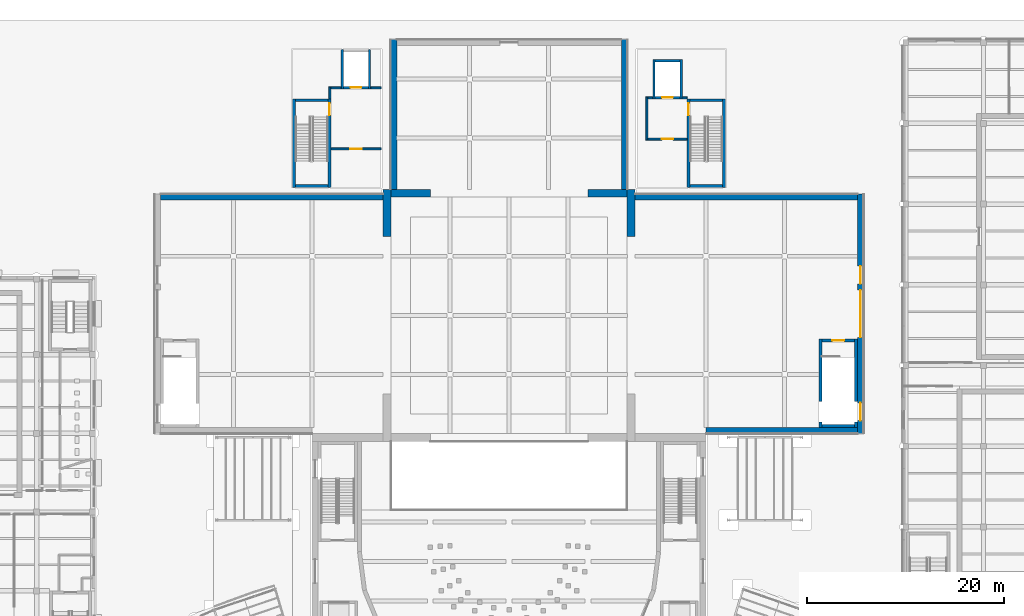
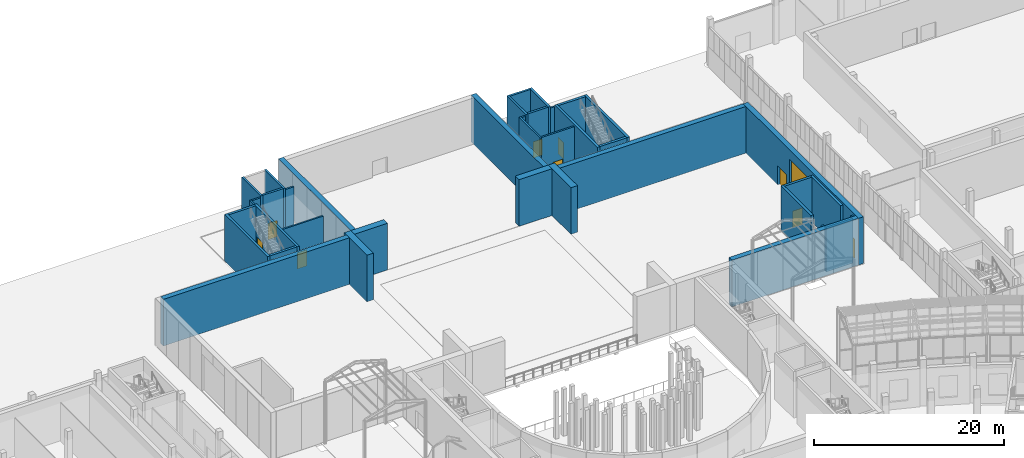
# One storey, part 98 of 155: 39 walls, 10 doors, 10 openings.
"""IFC4 building model written with IfcOpenShell, lengths in metres."""

from ifc_helpers import new_model, si_unit, direction, frame, frame_2d, origin, place, context, subcontext, project, spatial, rectangle, extrude, material, layer, layer_set, type_object, element, fill, save


model = new_model("IFC4")

# Units and contexts
model_context = context("Model", 3, precision=1e-05, world=origin(), true_north=direction((0.0, 1.0)))
body_context = subcontext(model_context, "Body", "Model", "MODEL_VIEW")
ifc_project = project(units=[si_unit("LENGTHUNIT", "METRE"), si_unit("AREAUNIT", "SQUARE_METRE"), si_unit("VOLUMEUNIT", "CUBIC_METRE"), si_unit("PLANEANGLEUNIT", "RADIAN"), si_unit("MASSUNIT", "GRAM", prefix="KILO")], contexts=[model_context])

# Site, building, storey
site_placement = place(None, origin())
site = spatial("IfcSite", under=ifc_project, at=site_placement, CompositionType="ELEMENT")
building_placement = place(site_placement, origin())
building = spatial("IfcBuilding", under=site, at=building_placement, Name="Lunette Opera House", CompositionType="ELEMENT")
storey_placement = place(building_placement, origin())
storey = spatial("IfcBuildingStorey", under=building, at=storey_placement, Name="L00", CompositionType="ELEMENT", Elevation=0.0)

# Walls
ifc_material_1 = material(Name="Concrete C35/45", Category="concrete")
ifc_layer_1 = layer(ifc_material_1, 0.199951171875)
ifc_layer_set_1 = layer_set([ifc_layer_1], Name="Concrete C35/45")
wall_type_1 = type_object("IfcWallType", Name="LOBBY WALL 200", PredefinedType="PARTITIONING", material=ifc_layer_set_1)
wall_1_placement = place(storey_placement, frame((114.080078125, 130.10009765625, 0.0), z_axis=(0.0, 0.0, 1.0), x_axis=(-1.0, 0.0, 0.0)))
element("IfcWall", 1, at=wall_1_placement, inside=storey, type_object=wall_type_1, Name="FL3 lobby wall 2a", PredefinedType="PARTITIONING", context=body_context, shape_type="SweptSolid", body=[
    extrude(rectangle(XDim=0.489990234375, YDim=0.199951171875, at=frame_2d((0.2451171875, 0.0))), origin(), (0.0, 0.0, 1.0), 5.780029296875),
])
wall_2_placement = place(storey_placement, frame((110.580078125, 130.10009765625, 0.0), z_axis=(0.0, 0.0, 1.0), x_axis=(-1.0, 0.0, 0.0)))
element("IfcWall", 2, at=wall_2_placement, inside=storey, type_object=wall_type_1, Name="FL3 lobby wall 2b", PredefinedType="PARTITIONING", context=body_context, shape_type="SweptSolid", body=[
    extrude(rectangle(XDim=0.47998046875, YDim=0.199951171875, at=frame_2d((0.239990234375, 0.0))), origin(), (0.0, 0.0, 1.0), 5.780029296875),
])
wall_3_placement = place(storey_placement, frame((110.0, 130.199951171875, 0.0), z_axis=(0.0, 0.0, 1.0), x_axis=(0.0, -1.0, 0.0)))
element("IfcWall", 3, at=wall_3_placement, inside=storey, type_object=wall_type_1, Name="FL3 lobby wall 3a", PredefinedType="PARTITIONING", context=body_context, shape_type="SweptSolid", body=[
    extrude(rectangle(XDim=4.39990234375, YDim=0.199951171875, at=frame_2d((2.199951171875, 0.0))), origin(), (0.0, 0.0, 1.0), 5.780029296875),
])

# Wall, opening, door
wall_4_placement = place(storey_placement, frame((110.10009765625, 125.89990234375, 0.0), z_axis=(0.0, 0.0, 1.0), x_axis=(1.0, 0.0, 0.0)))
wall_4 = element("IfcWall", 4, at=wall_4_placement, inside=storey, type_object=wall_type_1, Name="FL3 lobby wall 4a", PredefinedType="PARTITIONING", context=body_context, shape_type="SweptSolid", body=[
    extrude(rectangle(XDim=3.97998046875, YDim=0.199951171875, at=frame_2d((1.989990234375, 0.0))), origin(), (0.0, 0.0, 1.0), 5.780029296875),
])
opening_1_placement = place(wall_4_placement, frame((1.389892578125, 0.0, 0.0)))
opening_1 = element("IfcOpeningElement", 5, at=opening_1_placement, cuts=wall_4, Name="Opening ST-D7025", PredefinedType="OPENING", context=body_context, shape_type="SweptSolid", body=[
    extrude(rectangle(XDim=1.199951171875, YDim=2.10009765625, at=frame_2d((0.60009765625, 1.050048828125))), frame((0.0, 0.112060546875, 0.0), z_axis=(0.0, -1.0, 0.0), x_axis=(1.0, 0.0, 0.0)), (0.0, 0.0, 1.0), 0.223876953125),
])
ifc_material_2 = material(Name="Steel", Category="steel")
door_type_1 = type_object("IfcDoorType", Name="FIRE DOOR 1200 X 2100", OperationType="SINGLE_SWING_LEFT", PredefinedType="DOOR", material=ifc_material_2)
door_1_placement = place(opening_1_placement, origin())
door_1 = element("IfcDoor", 6, at=door_1_placement, inside=storey, type_object=door_type_1, Name="FL3 lobby door", OperationType="SINGLE_SWING_LEFT", OverallHeight=2.10009765625, OverallWidth=1.199951171875, PredefinedType="DOOR", context=body_context, shape_type="SweptSolid", body=[
    extrude(rectangle(XDim=1.199951171875, YDim=2.10009765625, at=frame_2d((0.60009765625, 1.050048828125))), frame((0.0, 0.02490234375, 0.0), z_axis=(0.0, -1.0, 0.0), x_axis=(1.0, 0.0, 0.0)), (0.0, 0.0, 1.0), 0.050048828125),
])
fill(opening_1, door_1)

# Walls
for number, where, z_axis, x_axis, name in (
    (7, (83.0, 131.10009765625, 0.0), (0.0, 0.0, 1.0), (-1.0, 0.0, 0.0), "LL-SW lobby wall 2a"),
    (8, (78.929931640625, 131.10009765625, 0.0), (0.0, 0.0, 1.0), (-1.0, 0.0, 0.0), "LL-SW lobby wall 2b"),
):
    element("IfcWall", number, at=place(storey_placement, frame(where, z_axis=z_axis, x_axis=x_axis)), inside=storey, type_object=wall_type_1, Name=name, PredefinedType="PARTITIONING", context=body_context, shape_type="SweptSolid", body=[
        extrude(rectangle(XDim=1.030029296875, YDim=0.199951171875, at=frame_2d((0.51513671875, 0.0))), origin(), (0.0, 0.0, 1.0), 5.780029296875),
    ])
wall_5_placement = place(storey_placement, frame((77.800048828125, 131.199951171875, 0.0), z_axis=(0.0, 0.0, 1.0), x_axis=(0.0, -1.0, 0.0)))
element("IfcWall", 9, at=wall_5_placement, inside=storey, type_object=wall_type_1, Name="LL-SW lobby wall 3a", PredefinedType="PARTITIONING", context=body_context, shape_type="SweptSolid", body=[
    extrude(rectangle(XDim=1.2099609375, YDim=0.199951171875, at=frame_2d((0.60498046875, 0.0))), origin(), (0.0, 0.0, 1.0), 5.780029296875),
])

# Wall, opening, door
wall_6_placement = place(storey_placement, frame((77.919921875, 124.89990234375, 0.0), z_axis=(0.0, 0.0, 1.0), x_axis=(1.0, 0.0, 0.0)))
wall_6 = element("IfcWall", 10, at=wall_6_placement, inside=storey, type_object=wall_type_1, Name="LL-SW lobby wall 4a", PredefinedType="PARTITIONING", context=body_context, shape_type="SweptSolid", body=[
    extrude(rectangle(XDim=5.080078125, YDim=0.199951171875, at=frame_2d((2.5400390625, 0.0))), origin(), (0.0, 0.0, 1.0), 5.780029296875),
])
opening_2_placement = place(wall_6_placement, frame((1.93994140625, 0.0, 0.0)))
opening_2 = element("IfcOpeningElement", 11, at=opening_2_placement, cuts=wall_6, Name="Opening ST-D7034", PredefinedType="OPENING", context=body_context, shape_type="SweptSolid", body=[
    extrude(rectangle(XDim=1.199951171875, YDim=2.10009765625, at=frame_2d((0.60009765625, 1.050048828125))), frame((0.0, 0.112060546875, 0.0), z_axis=(0.0, -1.0, 0.0), x_axis=(1.0, 0.0, 0.0)), (0.0, 0.0, 1.0), 0.223876953125),
])
door_2_placement = place(opening_2_placement, origin())
door_2 = element("IfcDoor", 12, at=door_2_placement, inside=storey, type_object=door_type_1, Name="LL-SW lobby door", OperationType="SINGLE_SWING_LEFT", OverallHeight=2.10009765625, OverallWidth=1.199951171875, PredefinedType="DOOR", context=body_context, shape_type="SweptSolid", body=[
    extrude(rectangle(XDim=1.199951171875, YDim=2.10009765625, at=frame_2d((0.60009765625, 1.050048828125))), frame((0.0, 0.02490234375, 0.0), z_axis=(0.0, -1.0, 0.0), x_axis=(1.0, 0.0, 0.0)), (0.0, 0.0, 1.0), 0.050048828125),
])
fill(opening_2, door_2)

# Walls
ifc_material_3 = material(Name="Concrete C35/45", Category="concrete")
ifc_layer_2 = layer(ifc_material_3, 0.25)
ifc_layer_set_2 = layer_set([ifc_layer_2], Name="Concrete C35/45")
wall_type_2 = type_object("IfcWallType", Name="RC LIFT SHAFT WALL 250", PredefinedType="SOLIDWALL", material=ifc_layer_set_2)
wall_7_placement = place(storey_placement, frame((113.47509765625, 130.0, 0.0), z_axis=(0.0, 0.0, 1.0), x_axis=(0.0, 1.0, 0.0)))
element("IfcWall", 13, at=wall_7_placement, inside=storey, type_object=wall_type_2, Name="FL3 shaft wall 1", PredefinedType="SOLIDWALL", context=body_context, shape_type="SweptSolid", body=[
    extrude(rectangle(XDim=4.0, YDim=0.25, at=frame_2d((2.0, 0.0))), origin(), (0.0, 0.0, 1.0), 6.0),
])
wall_8_placement = place(storey_placement, frame((113.35009765625, 133.875, 0.0), z_axis=(0.0, 0.0, 1.0), x_axis=(-1.0, 0.0, 0.0)))
element("IfcWall", 14, at=wall_8_placement, inside=storey, type_object=wall_type_2, Name="FL3 shaft wall 2", PredefinedType="SOLIDWALL", context=body_context, shape_type="SweptSolid", body=[
    extrude(rectangle(XDim=2.5, YDim=0.25, at=frame_2d((1.25, 0.0))), origin(), (0.0, 0.0, 1.0), 6.0),
])
wall_9_placement = place(storey_placement, frame((110.72509765625, 134.0, 0.0), z_axis=(0.0, 0.0, 1.0), x_axis=(0.0, -1.0, 0.0)))
element("IfcWall", 15, at=wall_9_placement, inside=storey, type_object=wall_type_2, Name="FL3 shaft wall 3", PredefinedType="SOLIDWALL", context=body_context, shape_type="SweptSolid", body=[
    extrude(rectangle(XDim=4.0, YDim=0.25, at=frame_2d((2.0, 0.0))), origin(), (0.0, 0.0, 1.0), 6.0),
])

# Wall, opening, door
wall_10_placement = place(storey_placement, frame((110.85009765625, 130.125, 0.0), z_axis=(0.0, 0.0, 1.0), x_axis=(1.0, 0.0, 0.0)))
wall_10 = element("IfcWall", 16, at=wall_10_placement, inside=storey, type_object=wall_type_2, Name="FL3 shaft wall 4", PredefinedType="SOLIDWALL", context=body_context, shape_type="SweptSolid", body=[
    extrude(rectangle(XDim=2.5, YDim=0.25, at=frame_2d((1.25, 0.0))), origin(), (0.0, 0.0, 1.0), 6.0),
])
opening_3_placement = place(wall_10_placement, frame((0.699951171875, 0.0, 0.0)))
opening_3 = element("IfcOpeningElement", 17, at=opening_3_placement, cuts=wall_10, Name="Opening ST-LD003", PredefinedType="OPENING", context=body_context, shape_type="SweptSolid", body=[
    extrude(rectangle(XDim=1.10009765625, YDim=2.10009765625, at=frame_2d((0.550048828125, 1.050048828125))), frame((0.0, 0.136962890625, 0.0), z_axis=(0.0, -1.0, 0.0), x_axis=(1.0, 0.0, 0.0)), (0.0, 0.0, 1.0), 0.27392578125),
])
ifc_material_4 = material(Name="Stainless steel", Category="steel")
door_type_2 = type_object("IfcDoorType", Name="LIFT LANDING DOOR 1100 X 2100", OperationType="DOUBLE_DOOR_SLIDING", PredefinedType="DOOR", material=ifc_material_4)
door_3_placement = place(opening_3_placement, origin())
door_3 = element("IfcDoor", 18, at=door_3_placement, inside=storey, type_object=door_type_2, Name="FL3 lift landing door", OperationType="DOUBLE_DOOR_SLIDING", OverallHeight=2.10009765625, OverallWidth=1.10009765625, PredefinedType="DOOR", context=body_context, shape_type="SweptSolid", body=[
    extrude(rectangle(XDim=1.10009765625, YDim=2.10009765625, at=frame_2d((0.550048828125, 1.050048828125))), frame((0.0, 0.02490234375, 0.0), z_axis=(0.0, -1.0, 0.0), x_axis=(1.0, 0.0, 0.0)), (0.0, 0.0, 1.0), 0.050048828125),
])
fill(opening_3, door_3)

# Walls
for number, where, z_axis, x_axis, name in (
    (19, (81.824951171875, 131.0, 0.0), (0.0, 0.0, 1.0), (0.0, 1.0, 0.0), "LF7 shaft wall 1"),
    (20, (79.074951171875, 135.0, 0.0), (0.0, 0.0, 1.0), (0.0, -1.0, 0.0), "LF7 shaft wall 3"),
):
    element("IfcWall", number, at=place(storey_placement, frame(where, z_axis=z_axis, x_axis=x_axis)), inside=storey, type_object=wall_type_2, Name=name, PredefinedType="SOLIDWALL", context=body_context, shape_type="SweptSolid", body=[
        extrude(rectangle(XDim=4.0, YDim=0.25, at=frame_2d((2.0, 0.0))), origin(), (0.0, 0.0, 1.0), 6.0),
    ])

# Wall, opening, door
wall_11_placement = place(storey_placement, frame((79.199951171875, 131.125, 0.0), z_axis=(0.0, 0.0, 1.0), x_axis=(1.0, 0.0, 0.0)))
wall_11 = element("IfcWall", 21, at=wall_11_placement, inside=storey, type_object=wall_type_2, Name="LF7 shaft wall 4", PredefinedType="SOLIDWALL", context=body_context, shape_type="SweptSolid", body=[
    extrude(rectangle(XDim=2.5, YDim=0.25, at=frame_2d((1.25, 0.0))), origin(), (0.0, 0.0, 1.0), 6.0),
])
opening_4_placement = place(wall_11_placement, frame((0.699951171875, 0.0, 0.0)))
opening_4 = element("IfcOpeningElement", 22, at=opening_4_placement, cuts=wall_11, Name="Opening ST-LD012", PredefinedType="OPENING", context=body_context, shape_type="SweptSolid", body=[
    extrude(rectangle(XDim=1.10009765625, YDim=2.10009765625, at=frame_2d((0.550048828125, 1.050048828125))), frame((0.0, 0.136962890625, 0.0), z_axis=(0.0, -1.0, 0.0), x_axis=(1.0, 0.0, 0.0)), (0.0, 0.0, 1.0), 0.27392578125),
])
door_4_placement = place(opening_4_placement, origin())
door_4 = element("IfcDoor", 23, at=door_4_placement, inside=storey, type_object=door_type_2, Name="LF7 lift landing door", OperationType="DOUBLE_DOOR_SLIDING", OverallHeight=2.10009765625, OverallWidth=1.10009765625, PredefinedType="DOOR", context=body_context, shape_type="SweptSolid", body=[
    extrude(rectangle(XDim=1.10009765625, YDim=2.10009765625, at=frame_2d((0.550048828125, 1.050048828125))), frame((0.0, 0.02490234375, 0.0), z_axis=(0.0, -1.0, 0.0), x_axis=(1.0, 0.0, 0.0)), (0.0, 0.0, 1.0), 0.050048828125),
])
fill(opening_4, door_4)

ifc_material_5 = material(Name="Concrete C35/45", Category="concrete")
ifc_layer_3 = layer(ifc_material_5, 0.300048828125)
ifc_layer_set_3 = layer_set([ifc_layer_3], Name="Concrete C35/45")
wall_type_3 = type_object("IfcWallType", Name="RC STAIR ENCLOSURE WALL 300", PredefinedType="SOLIDWALL", material=ifc_layer_set_3)
wall_12_placement = place(storey_placement, frame((77.75, 121.0, 0.0), z_axis=(0.0, 0.0, 1.0), x_axis=(0.0, 1.0, 0.0)))
wall_12 = element("IfcWall", 24, at=wall_12_placement, inside=storey, type_object=wall_type_3, Name="ST11 enclosure wall 1", PredefinedType="SOLIDWALL", context=body_context, shape_type="SweptSolid", body=[
    extrude(rectangle(XDim=9.0, YDim=0.300048828125, at=frame_2d((4.5, 0.0))), origin(), (0.0, 0.0, 1.0), 6.0),
])
opening_5_placement = place(wall_12_placement, frame((7.324951171875, 0.0, 0.0)))
opening_5 = element("IfcOpeningElement", 25, at=opening_5_placement, cuts=wall_12, Name="Opening ST-D7003", PredefinedType="OPENING", context=body_context, shape_type="SweptSolid", body=[
    extrude(rectangle(XDim=1.199951171875, YDim=2.10009765625, at=frame_2d((0.60009765625, 1.050048828125))), frame((0.0, 0.162109375, 0.0), z_axis=(0.0, -1.0, 0.0), x_axis=(1.0, 0.0, 0.0)), (0.0, 0.0, 1.0), 0.323974609375),
])
door_5_placement = place(opening_5_placement, origin())
door_5 = element("IfcDoor", 26, at=door_5_placement, inside=storey, type_object=door_type_1, Name="ST11 stair door", OperationType="SINGLE_SWING_LEFT", OverallHeight=2.10009765625, OverallWidth=1.199951171875, PredefinedType="DOOR", context=body_context, shape_type="SweptSolid", body=[
    extrude(rectangle(XDim=1.199951171875, YDim=2.10009765625, at=frame_2d((0.60009765625, 1.050048828125))), frame((0.0, 0.02490234375, 0.0), z_axis=(0.0, -1.0, 0.0), x_axis=(1.0, 0.0, 0.0)), (0.0, 0.0, 1.0), 0.050048828125),
])
fill(opening_5, door_5)

# Walls
wall_13_placement = place(storey_placement, frame((77.60009765625, 129.85009765625, 0.0), z_axis=(0.0, 0.0, 1.0), x_axis=(-1.0, 0.0, 0.0)))
element("IfcWall", 27, at=wall_13_placement, inside=storey, type_object=wall_type_3, Name="ST11 enclosure wall 2", PredefinedType="SOLIDWALL", context=body_context, shape_type="SweptSolid", body=[
    extrude(rectangle(XDim=3.300048828125, YDim=0.300048828125, at=frame_2d((1.64990234375, 0.0))), origin(), (0.0, 0.0, 1.0), 6.0),
])
wall_14_placement = place(storey_placement, frame((74.14990234375, 130.0, 0.0), z_axis=(0.0, 0.0, 1.0), x_axis=(0.0, -1.0, 0.0)))
element("IfcWall", 28, at=wall_14_placement, inside=storey, type_object=wall_type_3, Name="ST11 enclosure wall 3", PredefinedType="SOLIDWALL", context=body_context, shape_type="SweptSolid", body=[
    extrude(rectangle(XDim=9.0, YDim=0.300048828125, at=frame_2d((4.5, 0.0))), origin(), (0.0, 0.0, 1.0), 6.0),
])
wall_15_placement = place(storey_placement, frame((74.300048828125, 121.14990234375, 0.0), z_axis=(0.0, 0.0, 1.0), x_axis=(1.0, 0.0, 0.0)))
element("IfcWall", 29, at=wall_15_placement, inside=storey, type_object=wall_type_3, Name="ST11 enclosure wall 4", PredefinedType="SOLIDWALL", context=body_context, shape_type="SweptSolid", body=[
    extrude(rectangle(XDim=3.300048828125, YDim=0.300048828125, at=frame_2d((1.64990234375, 0.0))), origin(), (0.0, 0.0, 1.0), 6.0),
])
wall_16_placement = place(storey_placement, frame((117.85009765625, 121.0, 0.0), z_axis=(0.0, 0.0, 1.0), x_axis=(0.0, 1.0, 0.0)))
element("IfcWall", 30, at=wall_16_placement, inside=storey, type_object=wall_type_3, Name="ST12 enclosure wall 1", PredefinedType="SOLIDWALL", context=body_context, shape_type="SweptSolid", body=[
    extrude(rectangle(XDim=9.0, YDim=0.300048828125, at=frame_2d((4.5, 0.0))), origin(), (0.0, 0.0, 1.0), 6.0),
])
wall_17_placement = place(storey_placement, frame((117.699951171875, 129.85009765625, 0.0), z_axis=(0.0, 0.0, 1.0), x_axis=(-1.0, 0.0, 0.0)))
element("IfcWall", 31, at=wall_17_placement, inside=storey, type_object=wall_type_3, Name="ST12 enclosure wall 2", PredefinedType="SOLIDWALL", context=body_context, shape_type="SweptSolid", body=[
    extrude(rectangle(XDim=3.300048828125, YDim=0.300048828125, at=frame_2d((1.64990234375, 0.0))), origin(), (0.0, 0.0, 1.0), 6.0),
])

# Wall, opening, door
wall_18_placement = place(storey_placement, frame((114.25, 130.0, 0.0), z_axis=(0.0, 0.0, 1.0), x_axis=(0.0, -1.0, 0.0)))
wall_18 = element("IfcWall", 32, at=wall_18_placement, inside=storey, type_object=wall_type_3, Name="ST12 enclosure wall 3", PredefinedType="SOLIDWALL", context=body_context, shape_type="SweptSolid", body=[
    extrude(rectangle(XDim=9.0, YDim=0.300048828125, at=frame_2d((4.5, 0.0))), origin(), (0.0, 0.0, 1.0), 6.0),
])
opening_6_placement = place(wall_18_placement, frame((0.47509765625, 0.0, 0.0)))
opening_6 = element("IfcOpeningElement", 33, at=opening_6_placement, cuts=wall_18, Name="Opening ST-D7012", PredefinedType="OPENING", context=body_context, shape_type="SweptSolid", body=[
    extrude(rectangle(XDim=1.199951171875, YDim=2.10009765625, at=frame_2d((0.60009765625, 1.050048828125))), frame((0.0, 0.162109375, 0.0), z_axis=(0.0, -1.0, 0.0), x_axis=(1.0, 0.0, 0.0)), (0.0, 0.0, 1.0), 0.323974609375),
])
door_6_placement = place(opening_6_placement, origin())
door_6 = element("IfcDoor", 34, at=door_6_placement, inside=storey, type_object=door_type_1, Name="ST12 stair door", OperationType="SINGLE_SWING_LEFT", OverallHeight=2.10009765625, OverallWidth=1.199951171875, PredefinedType="DOOR", context=body_context, shape_type="SweptSolid", body=[
    extrude(rectangle(XDim=1.199951171875, YDim=2.10009765625, at=frame_2d((0.60009765625, 1.050048828125))), frame((0.0, 0.02490234375, 0.0), z_axis=(0.0, -1.0, 0.0), x_axis=(1.0, 0.0, 0.0)), (0.0, 0.0, 1.0), 0.050048828125),
])
fill(opening_6, door_6)

# Wall
wall_19_placement = place(storey_placement, frame((114.39990234375, 121.14990234375, 0.0), z_axis=(0.0, 0.0, 1.0), x_axis=(1.0, 0.0, 0.0)))
element("IfcWall", 35, at=wall_19_placement, inside=storey, type_object=wall_type_3, Name="ST12 enclosure wall 4", PredefinedType="SOLIDWALL", context=body_context, shape_type="SweptSolid", body=[
    extrude(rectangle(XDim=3.300048828125, YDim=0.300048828125, at=frame_2d((1.64990234375, 0.0))), origin(), (0.0, 0.0, 1.0), 6.0),
])

# Wall, opening, door
wall_20_placement = place(storey_placement, frame((131.10009765625, 105.449951171875, 0.0), z_axis=(0.0, 0.0, 1.0), x_axis=(-1.0, 0.0, 0.0)))
wall_20 = element("IfcWall", 36, at=wall_20_placement, inside=storey, type_object=wall_type_3, Name="ST14 enclosure wall 2", PredefinedType="SOLIDWALL", context=body_context, shape_type="SweptSolid", body=[
    extrude(rectangle(XDim=3.300048828125, YDim=0.300048828125, at=frame_2d((1.64990234375, 0.0))), origin(), (0.0, 0.0, 1.0), 5.75),
])
opening_7_placement = place(wall_20_placement, frame((1.050048828125, 0.0, 0.0)))
opening_7 = element("IfcOpeningElement", 37, at=opening_7_placement, cuts=wall_20, Name="Opening ST-D7022", PredefinedType="OPENING", context=body_context, shape_type="SweptSolid", body=[
    extrude(rectangle(XDim=1.199951171875, YDim=2.10009765625, at=frame_2d((0.60009765625, 1.050048828125))), frame((0.0, 0.162109375, 0.0), z_axis=(0.0, -1.0, 0.0), x_axis=(1.0, 0.0, 0.0)), (0.0, 0.0, 1.0), 0.323974609375),
])
door_7_placement = place(opening_7_placement, origin())
door_7 = element("IfcDoor", 38, at=door_7_placement, inside=storey, type_object=door_type_1, Name="ST14 stair door", OperationType="SINGLE_SWING_LEFT", OverallHeight=2.10009765625, OverallWidth=1.199951171875, PredefinedType="DOOR", context=body_context, shape_type="SweptSolid", body=[
    extrude(rectangle(XDim=1.199951171875, YDim=2.10009765625, at=frame_2d((0.60009765625, 1.050048828125))), frame((0.0, 0.02490234375, 0.0), z_axis=(0.0, -1.0, 0.0), x_axis=(1.0, 0.0, 0.0)), (0.0, 0.0, 1.0), 0.050048828125),
])
fill(opening_7, door_7)

# Walls
wall_21_placement = place(storey_placement, frame((127.800048828125, 96.75, 0.0), z_axis=(0.0, 0.0, 1.0), x_axis=(1.0, 0.0, 0.0)))
element("IfcWall", 39, at=wall_21_placement, inside=storey, type_object=wall_type_3, Name="ST14 enclosure wall 4", PredefinedType="SOLIDWALL", context=body_context, shape_type="SweptSolid", body=[
    extrude(rectangle(XDim=3.300048828125, YDim=0.300048828125, at=frame_2d((1.64990234375, 0.0))), origin(), (0.0, 0.0, 1.0), 5.75),
])
wall_22_placement = place(storey_placement, frame((131.25, 96.60009765625, 0.0), z_axis=(0.0, 0.0, 1.0), x_axis=(0.0, 1.0, 0.0)))
element("IfcWall", 40, at=wall_22_placement, inside=storey, type_object=wall_type_3, Name="ST14 enclosure wall 1 a", PredefinedType="SOLIDWALL", context=body_context, shape_type="SweptSolid", body=[
    extrude(rectangle(XDim=0.5498046875, YDim=0.300048828125, at=frame_2d((0.27490234375, 0.0))), origin(), (0.0, 0.0, 1.0), 5.75),
])
for number, where, z_axis, x_axis, name in (
    (41, (131.25, 99.25, 0.0), (0.0, 0.0, 1.0), (0.0, 1.0, 0.0), "ST14 enclosure wall 1 b"),
    (42, (127.64990234375, 105.60009765625, 0.0), (0.0, 0.0, 1.0), (0.0, -1.0, 0.0), "ST14 enclosure wall 3 a"),
):
    element("IfcWall", number, at=place(storey_placement, frame(where, z_axis=z_axis, x_axis=x_axis)), inside=storey, type_object=wall_type_3, Name=name, PredefinedType="SOLIDWALL", context=body_context, shape_type="SweptSolid", body=[
        extrude(rectangle(XDim=6.35009765625, YDim=0.300048828125, at=frame_2d((3.175048828125, 0.0))), origin(), (0.0, 0.0, 1.0), 5.75),
    ])
wall_23_placement = place(storey_placement, frame((127.64990234375, 97.14990234375, 0.0), z_axis=(0.0, 0.0, 1.0), x_axis=(0.0, -1.0, 0.0)))
element("IfcWall", 43, at=wall_23_placement, inside=storey, type_object=wall_type_3, Name="ST14 enclosure wall 3 b", PredefinedType="SOLIDWALL", context=body_context, shape_type="SweptSolid", body=[
    extrude(rectangle(XDim=0.5498046875, YDim=0.300048828125, at=frame_2d((0.27490234375, 0.0))), origin(), (0.0, 0.0, 1.0), 5.75),
])
ifc_material_6 = material(Name="Concrete C35/45", Category="concrete")
ifc_layer_4 = layer(ifc_material_6, 0.60009765625)
ifc_layer_set_4 = layer_set([ifc_layer_4], Name="Concrete C35/45")
wall_type_4 = type_object("IfcWallType", Name="RC WALL 600", PredefinedType="SHEAR", material=ifc_layer_set_4)
wall_24_placement = place(storey_placement, frame((60.60009765625, 120.0, 0.0), z_axis=(0.0, 0.0, 1.0), x_axis=(1.0, 0.0, 0.0)))
element("IfcWall", 44, at=wall_24_placement, inside=storey, type_object=wall_type_4, Name="wall-ST-L00-SW-N-1", PredefinedType="SHEAR", context=body_context, shape_type="SweptSolid", body=[
    extrude(rectangle(XDim=22.599853515625, YDim=0.60009765625, at=frame_2d((11.2998046875, 0.0))), origin(), (0.0, 0.0, 1.0), 6.0),
])

# Wall, openings, doors
wall_25_placement = place(storey_placement, frame((131.699951171875, 96.0, 0.0), z_axis=(0.0, 0.0, 1.0), x_axis=(0.0, 1.0, 0.0)))
wall_25 = element("IfcWall", 45, at=wall_25_placement, inside=storey, type_object=wall_type_4, Name="wall-ST-L00-SE-E-1", PredefinedType="SHEAR", context=body_context, shape_type="SweptSolid", body=[
    extrude(rectangle(XDim=24.300048828125, YDim=0.60009765625, at=frame_2d((12.14990234375, 0.0))), origin(), (0.0, 0.0, 1.0), 6.0),
])
opening_8_placement = place(wall_25_placement, frame((9.75, 0.0, 0.0)))
opening_8 = element("IfcOpeningElement", 46, at=opening_8_placement, cuts=wall_25, Name="Opening ST-D2002", PredefinedType="OPENING", context=body_context, shape_type="SweptSolid", body=[
    extrude(rectangle(XDim=4.800048828125, YDim=4.800048828125, at=frame_2d((2.39990234375, 2.39990234375))), frame((0.0, 0.31201171875, 0.0), z_axis=(0.0, -1.0, 0.0), x_axis=(1.0, 0.0, 0.0)), (0.0, 0.0, 1.0), 0.6240234375),
])
opening_9_placement = place(wall_25_placement, frame((15.199951171875, 0.0, 0.0)))
opening_9 = element("IfcOpeningElement", 47, at=opening_9_placement, cuts=wall_25, Name="Opening ST-D2007", PredefinedType="OPENING", context=body_context, shape_type="SweptSolid", body=[
    extrude(rectangle(XDim=1.800048828125, YDim=2.39990234375, at=frame_2d((0.89990234375, 1.199951171875))), frame((0.0, 0.31201171875, 0.0), z_axis=(0.0, -1.0, 0.0), x_axis=(1.0, 0.0, 0.0)), (0.0, 0.0, 1.0), 0.6240234375),
])
opening_10_placement = place(wall_25_placement, frame((1.300048828125, 0.0, 0.0)))
opening_10 = element("IfcOpeningElement", 48, at=opening_10_placement, cuts=wall_25, Name="Opening ST-D2009", PredefinedType="OPENING", context=body_context, shape_type="SweptSolid", body=[
    extrude(rectangle(XDim=1.800048828125, YDim=2.39990234375, at=frame_2d((0.89990234375, 1.199951171875))), frame((0.0, 0.31201171875, 0.0), z_axis=(0.0, -1.0, 0.0), x_axis=(1.0, 0.0, 0.0)), (0.0, 0.0, 1.0), 0.6240234375),
])
ifc_material_7 = material(Name="Powder-coated steel", Category="steel")
door_type_3 = type_object("IfcDoorType", Name="EXIT DOUBLE DOOR 1800 X 2400", OperationType="DOUBLE_DOOR_DOUBLE_SWING", PredefinedType="DOOR", material=ifc_material_7)
door_8_placement = place(opening_9_placement, origin())
door_8 = element("IfcDoor", 49, at=door_8_placement, inside=storey, type_object=door_type_3, Name="Exit Double Door 1800 X 2400 ST14XD L00", OperationType="DOUBLE_DOOR_DOUBLE_SWING", OverallHeight=2.39990234375, OverallWidth=1.800048828125, PredefinedType="DOOR", context=body_context, shape_type="SweptSolid", body=[
    extrude(rectangle(XDim=1.800048828125, YDim=2.39990234375, at=frame_2d((0.89990234375, 1.199951171875))), frame((0.0, 0.02490234375, 0.0), z_axis=(0.0, -1.0, 0.0), x_axis=(1.0, 0.0, 0.0)), (0.0, 0.0, 1.0), 0.050048828125),
])
fill(opening_9, door_8)
door_9_placement = place(opening_10_placement, origin())
door_9 = element("IfcDoor", 50, at=door_9_placement, inside=storey, type_object=door_type_3, Name="Exit Double Door 1800 X 2400 ST14XF L00", OperationType="DOUBLE_DOOR_DOUBLE_SWING", OverallHeight=2.39990234375, OverallWidth=1.800048828125, PredefinedType="DOOR", context=body_context, shape_type="SweptSolid", body=[
    extrude(rectangle(XDim=1.800048828125, YDim=2.39990234375, at=frame_2d((0.89990234375, 1.199951171875))), frame((0.0, 0.02490234375, 0.0), z_axis=(0.0, -1.0, 0.0), x_axis=(1.0, 0.0, 0.0)), (0.0, 0.0, 1.0), 0.050048828125),
])
fill(opening_10, door_9)
ifc_material_8 = material(Name="Powder-coated steel", Category="steel")
door_type_4 = type_object("IfcDoorType", Name="SCENERY DOOR 4800 X 4800", OperationType="SLIDING_TO_LEFT", PredefinedType="DOOR", material=ifc_material_8)
door_10_placement = place(opening_8_placement, origin())
door_10 = element("IfcDoor", 51, at=door_10_placement, inside=storey, type_object=door_type_4, Name="Scenery Door 4800 X 4800 SE-E-SC L00", OperationType="SLIDING_TO_LEFT", OverallHeight=4.800048828125, OverallWidth=4.800048828125, PredefinedType="DOOR", context=body_context, shape_type="SweptSolid", body=[
    extrude(rectangle(XDim=4.800048828125, YDim=4.800048828125, at=frame_2d((2.39990234375, 2.39990234375))), frame((0.0, 0.02490234375, 0.0), z_axis=(0.0, -1.0, 0.0), x_axis=(1.0, 0.0, 0.0)), (0.0, 0.0, 1.0), 0.050048828125),
])
fill(opening_8, door_10)

# Walls
wall_26_placement = place(storey_placement, frame((108.800048828125, 120.0, 0.0), z_axis=(0.0, 0.0, 1.0), x_axis=(1.0, 0.0, 0.0)))
element("IfcWall", 52, at=wall_26_placement, inside=storey, type_object=wall_type_4, Name="wall-ST-L00-SE-N-1", PredefinedType="SHEAR", context=body_context, shape_type="SweptSolid", body=[
    extrude(rectangle(XDim=22.599853515625, YDim=0.60009765625, at=frame_2d((11.2998046875, 0.0))), origin(), (0.0, 0.0, 1.0), 6.0),
])
wall_27_placement = place(storey_placement, frame((116.010009765625, 96.300048828125, 0.0), z_axis=(0.0, 0.0, 1.0), x_axis=(1.0, 0.0, 0.0)))
element("IfcWall", 53, at=wall_27_placement, inside=storey, type_object=wall_type_4, Name="wall-ST-L00-SE-S-1", PredefinedType="SHEAR", context=body_context, shape_type="SweptSolid", body=[
    extrude(rectangle(XDim=15.389892578125, YDim=0.60009765625, at=frame_2d((7.69482421875, 0.0))), origin(), (0.0, 0.0, 1.0), 6.0),
])
for number, where, z_axis, x_axis, name in (
    (54, (84.300048828125, 120.800048828125, 0.0), (0.0, 0.0, 1.0), (0.0, 1.0, 0.0), "wall-ST-L00-SR-W-1"),
    (55, (107.699951171875, 120.800048828125, 0.0), (0.0, 0.0, 1.0), (0.0, 1.0, 0.0), "wall-ST-L00-SR-E-1"),
):
    element("IfcWall", number, at=place(storey_placement, frame(where, z_axis=z_axis, x_axis=x_axis)), inside=storey, type_object=wall_type_4, Name=name, PredefinedType="SHEAR", context=body_context, shape_type="SweptSolid", body=[
        extrude(rectangle(XDim=15.199951171875, YDim=0.60009765625, at=frame_2d((7.60009765625, 0.0))), origin(), (0.0, 0.0, 1.0), 6.0),
    ])
ifc_material_9 = material(Name="Concrete C40/50", Category="concrete")
ifc_layer_5 = layer(ifc_material_9, 0.800048828125)
ifc_layer_set_5 = layer_set([ifc_layer_5], Name="Concrete C40/50")
wall_type_5 = type_object("IfcWallType", Name="RC WALL 800", PredefinedType="SHEAR", material=ifc_layer_set_5)
for number, where, z_axis, x_axis, name in (
    (56, (83.60009765625, 116.0, 0.0), (0.0, 0.0, 1.0), (0.0, 1.0, 0.0), "wall-ST-L00-WW-2"),
    (57, (108.39990234375, 116.0, 0.0), (0.0, 0.0, 1.0), (0.0, 1.0, 0.0), "wall-ST-L00-WE-2"),
):
    element("IfcWall", number, at=place(storey_placement, frame(where, z_axis=z_axis, x_axis=x_axis)), inside=storey, type_object=wall_type_5, Name=name, PredefinedType="SHEAR", context=body_context, shape_type="SweptSolid", body=[
        extrude(rectangle(XDim=4.800048828125, YDim=0.800048828125, at=frame_2d((2.39990234375, 0.0))), origin(), (0.0, 0.0, 1.0), 6.0),
    ])
for number, where, z_axis, x_axis, name in (
    (58, (84.0, 120.39990234375, 0.0), (0.0, 0.0, 1.0), (1.0, 0.0, 0.0), "wall-ST-L00-WN-1"),
    (59, (104.0, 120.39990234375, 0.0), (0.0, 0.0, 1.0), (1.0, 0.0, 0.0), "wall-ST-L00-WN-2"),
):
    element("IfcWall", number, at=place(storey_placement, frame(where, z_axis=z_axis, x_axis=x_axis)), inside=storey, type_object=wall_type_5, Name=name, PredefinedType="SHEAR", context=body_context, shape_type="SweptSolid", body=[
        extrude(rectangle(XDim=4.0, YDim=0.800048828125, at=frame_2d((2.0, 0.0))), origin(), (0.0, 0.0, 1.0), 6.0),
    ])

save(model, "model.ifc")
